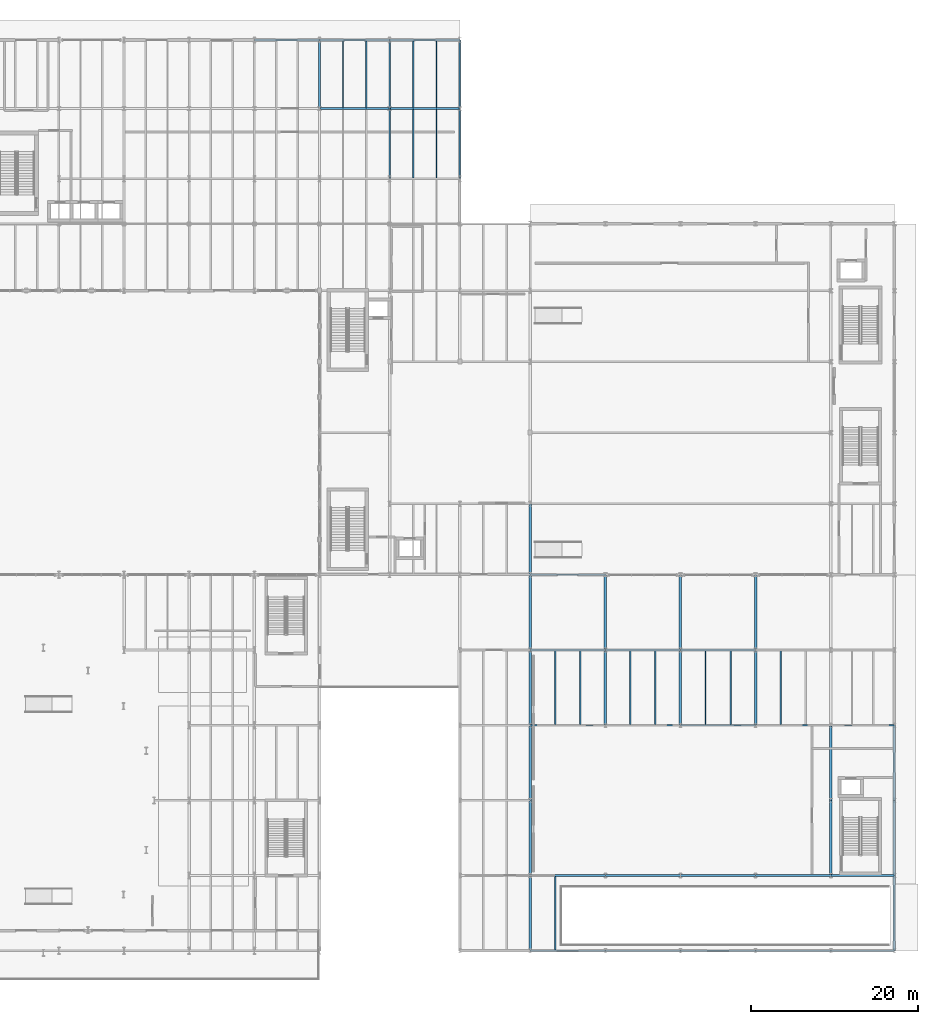
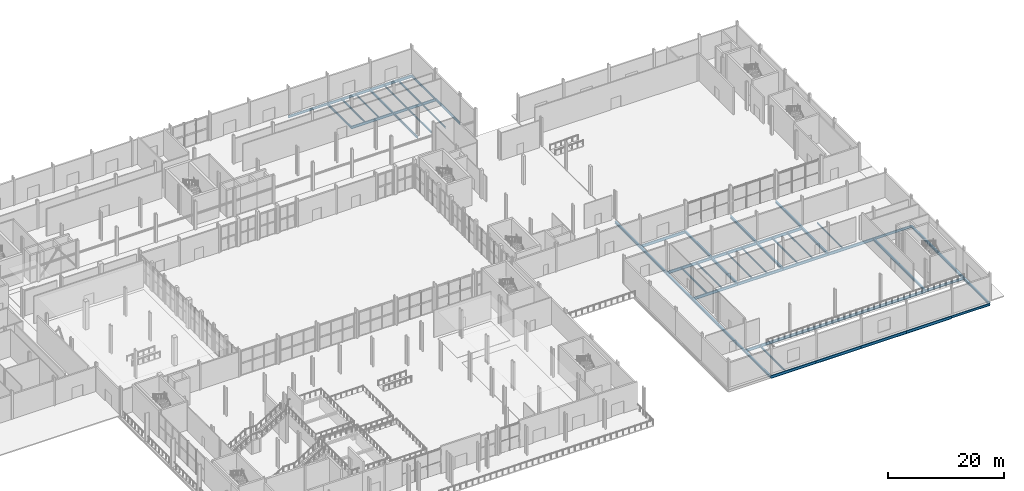
# One storey, part 41 of 84: 60 beams.
"""IFC4 building model written with IfcOpenShell, lengths in metres."""

from ifc_helpers import new_model, si_unit, direction, frame, origin, origin_2d, place, context, subcontext, project, spatial, i_section, extrude, material, material_profile, profile_set, type_object, element, save


model = new_model("IFC4")

# Units and contexts
model_context = context("Model", 3, precision=1e-05, world=origin(), true_north=direction((0.0, 1.0)))
body_context = subcontext(model_context, "Body", "Model", "MODEL_VIEW")
ifc_project = project(units=[si_unit("LENGTHUNIT", "METRE"), si_unit("AREAUNIT", "SQUARE_METRE"), si_unit("VOLUMEUNIT", "CUBIC_METRE"), si_unit("PLANEANGLEUNIT", "RADIAN"), si_unit("MASSUNIT", "GRAM", prefix="KILO")], contexts=[model_context])

# Site, building, storey
site_placement = place(None, origin())
site = spatial("IfcSite", under=ifc_project, at=site_placement, CompositionType="ELEMENT")
building_placement = place(site_placement, origin())
building = spatial("IfcBuilding", under=site, at=building_placement, Name="Sefraquen Railside Congress Hotel", CompositionType="ELEMENT")
storey_placement = place(building_placement, origin())
storey = spatial("IfcBuildingStorey", under=building, at=storey_placement, Name="L00", CompositionType="ELEMENT", Elevation=0.0)

# Beams
ifc_material = material(Name="Steel S355JR", Category="steel")
ifc_material_profile_1 = material_profile(ifc_material, i_section(OverallWidth=0.18994140625, OverallDepth=0.449951171875, WebThickness=0.009521484375, FlangeThickness=0.0146484375, FilletRadius=0.02099609375, at=origin_2d()), Name="IPE 450")
ifc_profile_set_1 = profile_set([ifc_material_profile_1], Name="Steel S355JR")
beam_type_1 = type_object("IfcBeamType", Name="TB-BM-450", PredefinedType="BEAM", material=ifc_profile_set_1)
beam_1_placement = place(storey_placement, frame((103.199951171875, 109.800048828125, -0.625), z_axis=(0.0, 1.0, 0.0), x_axis=(-1.0, 0.0, 0.0)))
element("IfcBeam", 1, at=beam_1_placement, inside=storey, type_object=beam_type_1, Name="Floor beam BM-L00-0284", PredefinedType="BEAM", context=body_context, shape_type="SweptSolid", body=[
    extrude(i_section(OverallWidth=0.18994140625, OverallDepth=0.449951171875, WebThickness=0.009521484375, FlangeThickness=0.0146484375, FilletRadius=0.02099609375, at=origin_2d()), origin(), (0.0, 0.0, 1.0), 8.199951171875),
])
beam_2_placement = place(storey_placement, frame((111.60009765625, 101.39990234375, -0.625), z_axis=(0.0, 1.0, 0.0), x_axis=(-1.0, 0.0, 0.0)))
element("IfcBeam", 2, at=beam_2_placement, inside=storey, type_object=beam_type_1, Name="Floor beam BM-L00-0291", PredefinedType="BEAM", context=body_context, shape_type="SweptSolid", body=[
    extrude(i_section(OverallWidth=0.18994140625, OverallDepth=0.449951171875, WebThickness=0.009521484375, FlangeThickness=0.0146484375, FilletRadius=0.02099609375, at=origin_2d()), origin(), (0.0, 0.0, 1.0), 8.400146484375),
])
beam_3_placement = place(storey_placement, frame((111.60009765625, 109.800048828125, -0.625), z_axis=(0.0, 1.0, 0.0), x_axis=(-1.0, 0.0, 0.0)))
element("IfcBeam", 3, at=beam_3_placement, inside=storey, type_object=beam_type_1, Name="Floor beam BM-L00-0292", PredefinedType="BEAM", context=body_context, shape_type="SweptSolid", body=[
    extrude(i_section(OverallWidth=0.18994140625, OverallDepth=0.449951171875, WebThickness=0.009521484375, FlangeThickness=0.0146484375, FilletRadius=0.02099609375, at=origin_2d()), origin(), (0.0, 0.0, 1.0), 8.199951171875),
])
beam_4_placement = place(storey_placement, frame((120.0, 101.39990234375, -0.625), z_axis=(0.0, 1.0, 0.0), x_axis=(-1.0, 0.0, 0.0)))
element("IfcBeam", 4, at=beam_4_placement, inside=storey, type_object=beam_type_1, Name="Floor beam BM-L00-0302", PredefinedType="BEAM", context=body_context, shape_type="SweptSolid", body=[
    extrude(i_section(OverallWidth=0.18994140625, OverallDepth=0.449951171875, WebThickness=0.009521484375, FlangeThickness=0.0146484375, FilletRadius=0.02099609375, at=origin_2d()), origin(), (0.0, 0.0, 1.0), 8.400146484375),
])
beam_5_placement = place(storey_placement, frame((120.0, 109.800048828125, -0.625), z_axis=(0.0, 1.0, 0.0), x_axis=(-1.0, 0.0, 0.0)))
element("IfcBeam", 5, at=beam_5_placement, inside=storey, type_object=beam_type_1, Name="Floor beam BM-L00-0303", PredefinedType="BEAM", context=body_context, shape_type="SweptSolid", body=[
    extrude(i_section(OverallWidth=0.18994140625, OverallDepth=0.449951171875, WebThickness=0.009521484375, FlangeThickness=0.0146484375, FilletRadius=0.02099609375, at=origin_2d()), origin(), (0.0, 0.0, 1.0), 8.199951171875),
])
ifc_material_profile_2 = material_profile(ifc_material, i_section(OverallWidth=0.199951171875, OverallDepth=0.5, WebThickness=0.01025390625, FlangeThickness=0.01611328125, FilletRadius=0.02099609375, at=origin_2d()), Name="IPE 500")
ifc_profile_set_2 = profile_set([ifc_material_profile_2], Name="Steel S355JR")
beam_type_2 = type_object("IfcBeamType", Name="TB-BM-500", PredefinedType="BEAM", material=ifc_profile_set_2)
for number, where, z_axis, x_axis, name in (
    (6, (164.39990234375, 9.0, -0.75), (1.0, 0.0, 0.0), (0.0, 1.0, 0.0), "Primary girder BM-L00-0016"),
    (7, (164.39990234375, 18.0, -0.75), (1.0, 0.0, 0.0), (0.0, 1.0, 0.0), "Primary girder BM-L00-0026"),
    (8, (164.39990234375, 36.0, -0.75), (1.0, 0.0, 0.0), (0.0, 1.0, 0.0), "Primary girder BM-L00-0043"),
):
    element("IfcBeam", number, at=place(storey_placement, frame(where, z_axis=z_axis, x_axis=x_axis)), inside=storey, type_object=beam_type_2, Name=name, PredefinedType="BEAM", context=body_context, shape_type="SweptSolid", body=[
        extrude(i_section(OverallWidth=0.199951171875, OverallDepth=0.5, WebThickness=0.01025390625, FlangeThickness=0.01611328125, FilletRadius=0.02099609375, at=origin_2d()), origin(), (0.0, 0.0, 1.0), 7.60009765625),
    ])
beam_6_placement = place(storey_placement, frame((95.39990234375, 118.0, -0.64990234375), z_axis=(1.0, 0.0, 0.0), x_axis=(0.0, 1.0, 0.0)))
element("IfcBeam", 9, at=beam_6_placement, inside=storey, type_object=beam_type_2, Name="Primary girder BM-L00-0170", PredefinedType="BEAM", context=body_context, shape_type="SweptSolid", body=[
    extrude(i_section(OverallWidth=0.199951171875, OverallDepth=0.5, WebThickness=0.01025390625, FlangeThickness=0.01611328125, FilletRadius=0.02099609375, at=origin_2d()), origin(), (0.0, 0.0, 1.0), 7.800048828125),
])
ifc_material_profile_3 = material_profile(ifc_material, i_section(OverallWidth=0.300048828125, OverallDepth=0.489990234375, WebThickness=0.011962890625, FlangeThickness=0.02294921875, FilletRadius=0.027099609375, at=origin_2d()), Name="HEA 500")
ifc_profile_set_3 = profile_set([ifc_material_profile_3], Name="Steel S355JR")
beam_type_3 = type_object("IfcBeamType", Name="TB-GIR-500", PredefinedType="T_BEAM", material=ifc_profile_set_3)
for number, where, z_axis, x_axis, name in (
    (10, (128.39990234375, 9.0, -0.7451171875), (0.0, 1.0, 0.0), (-1.0, 0.0, 0.0), "Floor beam BM-L00-0304"),
    (11, (128.39990234375, 18.0, -0.7451171875), (0.0, 1.0, 0.0), (-1.0, 0.0, 0.0), "Floor beam BM-L00-0305"),
    (12, (128.39990234375, 27.0, -0.7451171875), (0.0, 1.0, 0.0), (-1.0, 0.0, 0.0), "Floor beam BM-L00-0306"),
    (13, (128.39990234375, 36.0, -0.7451171875), (0.0, 1.0, 0.0), (-1.0, 0.0, 0.0), "Floor beam BM-L00-0307"),
    (14, (128.39990234375, 45.0, -0.64501953125), (0.0, 1.0, 0.0), (-1.0, 0.0, 0.0), "Floor beam BM-L00-0308"),
):
    element("IfcBeam", number, at=place(storey_placement, frame(where, z_axis=z_axis, x_axis=x_axis)), inside=storey, type_object=beam_type_3, Name=name, PredefinedType="T_BEAM", context=body_context, shape_type="SweptSolid", body=[
        extrude(i_section(OverallWidth=0.300048828125, OverallDepth=0.489990234375, WebThickness=0.011962890625, FlangeThickness=0.02294921875, FilletRadius=0.027099609375, at=origin_2d()), origin(), (0.0, 0.0, 1.0), 9.0),
    ])
beam_7_placement = place(storey_placement, frame((128.39990234375, 54.0, -0.64501953125), z_axis=(0.0, 1.0, 0.0), x_axis=(-1.0, 0.0, 0.0)))
element("IfcBeam", 15, at=beam_7_placement, inside=storey, type_object=beam_type_3, Name="Floor beam BM-L00-0309", PredefinedType="T_BEAM", context=body_context, shape_type="SweptSolid", body=[
    extrude(i_section(OverallWidth=0.300048828125, OverallDepth=0.489990234375, WebThickness=0.011962890625, FlangeThickness=0.02294921875, FilletRadius=0.027099609375, at=origin_2d()), origin(), (0.0, 0.0, 1.0), 8.5),
])
for number, where, z_axis, x_axis, name in (
    (16, (137.39990234375, 36.0, -0.7451171875), (0.0, 1.0, 0.0), (-1.0, 0.0, 0.0), "Floor beam BM-L00-0314"),
    (17, (137.39990234375, 45.0, -0.64501953125), (0.0, 1.0, 0.0), (-1.0, 0.0, 0.0), "Floor beam BM-L00-0315"),
    (18, (146.39990234375, 36.0, -0.7451171875), (0.0, 1.0, 0.0), (-1.0, 0.0, 0.0), "Floor beam BM-L00-0316"),
    (19, (146.39990234375, 45.0, -0.64501953125), (0.0, 1.0, 0.0), (-1.0, 0.0, 0.0), "Floor beam BM-L00-0317"),
    (20, (155.39990234375, 36.0, -0.7451171875), (0.0, 1.0, 0.0), (-1.0, 0.0, 0.0), "Floor beam BM-L00-0318"),
    (21, (155.39990234375, 45.0, -0.64501953125), (0.0, 1.0, 0.0), (-1.0, 0.0, 0.0), "Floor beam BM-L00-0319"),
    (22, (164.39990234375, 18.0, -0.7451171875), (0.0, 1.0, 0.0), (-1.0, 0.0, 0.0), "Floor beam BM-L00-0320"),
    (23, (164.39990234375, 27.0, -0.7451171875), (0.0, 1.0, 0.0), (-1.0, 0.0, 0.0), "Floor beam BM-L00-0321"),
    (24, (172.0, 9.0, -0.7451171875), (0.0, 1.0, 0.0), (-1.0, 0.0, 0.0), "Floor beam BM-L00-0329"),
    (25, (172.0, 18.0, -0.7451171875), (0.0, 1.0, 0.0), (-1.0, 0.0, 0.0), "Floor beam BM-L00-0330"),
    (26, (172.0, 27.0, -0.7451171875), (0.0, 1.0, 0.0), (-1.0, 0.0, 0.0), "Floor beam BM-L00-0331"),
):
    element("IfcBeam", number, at=place(storey_placement, frame(where, z_axis=z_axis, x_axis=x_axis)), inside=storey, type_object=beam_type_3, Name=name, PredefinedType="T_BEAM", context=body_context, shape_type="SweptSolid", body=[
        extrude(i_section(OverallWidth=0.300048828125, OverallDepth=0.489990234375, WebThickness=0.011962890625, FlangeThickness=0.02294921875, FilletRadius=0.027099609375, at=origin_2d()), origin(), (0.0, 0.0, 1.0), 9.0),
    ])
ifc_material_profile_4 = material_profile(ifc_material, i_section(OverallWidth=0.2099609375, OverallDepth=0.550048828125, WebThickness=0.010986328125, FlangeThickness=0.01708984375, FilletRadius=0.02392578125, at=origin_2d()), Name="IPE 550")
ifc_profile_set_4 = profile_set([ifc_material_profile_4], Name="Steel S355JR")
beam_type_4 = type_object("IfcBeamType", Name="TB-GIR-550", PredefinedType="T_BEAM", material=ifc_profile_set_4)
beam_8_placement = place(storey_placement, frame((103.199951171875, 109.800048828125, -0.675048828125), z_axis=(1.0, 0.0, 0.0), x_axis=(0.0, 1.0, 0.0)))
element("IfcBeam", 27, at=beam_8_placement, inside=storey, type_object=beam_type_4, Name="Primary girder BM-L00-0159", PredefinedType="T_BEAM", context=body_context, shape_type="SweptSolid", body=[
    extrude(i_section(OverallWidth=0.2099609375, OverallDepth=0.550048828125, WebThickness=0.010986328125, FlangeThickness=0.01708984375, FilletRadius=0.02392578125, at=origin_2d()), origin(), (0.0, 0.0, 1.0), 8.400146484375),
])
beam_9_placement = place(storey_placement, frame((111.60009765625, 109.800048828125, -0.675048828125), z_axis=(1.0, 0.0, 0.0), x_axis=(0.0, 1.0, 0.0)))
element("IfcBeam", 28, at=beam_9_placement, inside=storey, type_object=beam_type_4, Name="Primary girder BM-L00-0160", PredefinedType="T_BEAM", context=body_context, shape_type="SweptSolid", body=[
    extrude(i_section(OverallWidth=0.2099609375, OverallDepth=0.550048828125, WebThickness=0.010986328125, FlangeThickness=0.01708984375, FilletRadius=0.02392578125, at=origin_2d()), origin(), (0.0, 0.0, 1.0), 8.39990234375),
])
beam_10_placement = place(storey_placement, frame((103.199951171875, 118.0, -0.675048828125), z_axis=(1.0, 0.0, 0.0), x_axis=(0.0, 1.0, 0.0)))
element("IfcBeam", 29, at=beam_10_placement, inside=storey, type_object=beam_type_4, Name="Primary girder BM-L00-0171", PredefinedType="T_BEAM", context=body_context, shape_type="SweptSolid", body=[
    extrude(i_section(OverallWidth=0.2099609375, OverallDepth=0.550048828125, WebThickness=0.010986328125, FlangeThickness=0.01708984375, FilletRadius=0.02392578125, at=origin_2d()), origin(), (0.0, 0.0, 1.0), 8.400146484375),
])
beam_11_placement = place(storey_placement, frame((111.60009765625, 118.0, -0.675048828125), z_axis=(1.0, 0.0, 0.0), x_axis=(0.0, 1.0, 0.0)))
element("IfcBeam", 30, at=beam_11_placement, inside=storey, type_object=beam_type_4, Name="Primary girder BM-L00-0172", PredefinedType="T_BEAM", context=body_context, shape_type="SweptSolid", body=[
    extrude(i_section(OverallWidth=0.2099609375, OverallDepth=0.550048828125, WebThickness=0.010986328125, FlangeThickness=0.01708984375, FilletRadius=0.02392578125, at=origin_2d()), origin(), (0.0, 0.0, 1.0), 8.39990234375),
])
ifc_material_profile_5 = material_profile(ifc_material, i_section(OverallWidth=0.219970703125, OverallDepth=0.60009765625, WebThickness=0.011962890625, FlangeThickness=0.01904296875, FilletRadius=0.02392578125, at=origin_2d()), Name="IPE 600")
ifc_profile_set_5 = profile_set([ifc_material_profile_5], Name="Steel S355JR")
beam_type_5 = type_object("IfcBeamType", Name="TB-GIR-600", PredefinedType="T_BEAM", material=ifc_profile_set_5)
for number, where, z_axis, x_axis, name in (
    (31, (128.39990234375, 9.0, -0.800048828125), (1.0, 0.0, 0.0), (0.0, 1.0, 0.0), "Primary girder BM-L00-0012"),
    (32, (137.39990234375, 9.0, -0.800048828125), (1.0, 0.0, 0.0), (0.0, 1.0, 0.0), "Primary girder BM-L00-0013"),
    (33, (146.39990234375, 9.0, -0.800048828125), (1.0, 0.0, 0.0), (0.0, 1.0, 0.0), "Primary girder BM-L00-0014"),
    (34, (155.39990234375, 9.0, -0.800048828125), (1.0, 0.0, 0.0), (0.0, 1.0, 0.0), "Primary girder BM-L00-0015"),
    (35, (128.39990234375, 18.0, -0.800048828125), (1.0, 0.0, 0.0), (0.0, 1.0, 0.0), "Primary girder BM-L00-0022"),
    (36, (137.39990234375, 18.0, -0.800048828125), (1.0, 0.0, 0.0), (0.0, 1.0, 0.0), "Primary girder BM-L00-0023"),
    (37, (146.39990234375, 18.0, -0.800048828125), (1.0, 0.0, 0.0), (0.0, 1.0, 0.0), "Primary girder BM-L00-0024"),
    (38, (155.39990234375, 18.0, -0.800048828125), (1.0, 0.0, 0.0), (0.0, 1.0, 0.0), "Primary girder BM-L00-0025"),
    (39, (128.39990234375, 36.0, -0.800048828125), (1.0, 0.0, 0.0), (0.0, 1.0, 0.0), "Primary girder BM-L00-0039"),
    (40, (137.39990234375, 36.0, -0.800048828125), (1.0, 0.0, 0.0), (0.0, 1.0, 0.0), "Primary girder BM-L00-0040"),
    (41, (146.39990234375, 36.0, -0.800048828125), (1.0, 0.0, 0.0), (0.0, 1.0, 0.0), "Primary girder BM-L00-0041"),
    (42, (155.39990234375, 36.0, -0.800048828125), (1.0, 0.0, 0.0), (0.0, 1.0, 0.0), "Primary girder BM-L00-0042"),
    (43, (128.39990234375, 45.0, -0.800048828125), (1.0, 0.0, 0.0), (0.0, 1.0, 0.0), "Primary girder BM-L00-0049"),
    (44, (137.39990234375, 45.0, -0.800048828125), (1.0, 0.0, 0.0), (0.0, 1.0, 0.0), "Primary girder BM-L00-0050"),
    (45, (146.39990234375, 45.0, -0.800048828125), (1.0, 0.0, 0.0), (0.0, 1.0, 0.0), "Primary girder BM-L00-0051"),
    (46, (128.39990234375, 54.0, -0.699951171875), (1.0, 0.0, 0.0), (0.0, 1.0, 0.0), "Primary girder BM-L00-0067"),
):
    element("IfcBeam", number, at=place(storey_placement, frame(where, z_axis=z_axis, x_axis=x_axis)), inside=storey, type_object=beam_type_5, Name=name, PredefinedType="T_BEAM", context=body_context, shape_type="SweptSolid", body=[
        extrude(i_section(OverallWidth=0.219970703125, OverallDepth=0.60009765625, WebThickness=0.011962890625, FlangeThickness=0.01904296875, FilletRadius=0.02392578125, at=origin_2d()), origin(), (0.0, 0.0, 1.0), 9.0),
    ])
ifc_material_profile_6 = material_profile(ifc_material, i_section(OverallWidth=0.159912109375, OverallDepth=0.330078125, WebThickness=0.007568359375, FlangeThickness=0.011474609375, FilletRadius=0.01806640625, at=origin_2d()), Name="IPE 330")
ifc_profile_set_6 = profile_set([ifc_material_profile_6], Name="Steel S355JR")
beam_type_6 = type_object("IfcBeamType", Name="TB-JST-330", PredefinedType="JOIST", material=ifc_profile_set_6)
for number, where, z_axis, x_axis, name in (
    (47, (106.0, 109.885009765625, -0.56494140625), (0.0, 1.0, 0.0), (-1.0, 0.0, 0.0), "Composite floor joist BM-L00-J0162"),
    (48, (108.800048828125, 109.885009765625, -0.56494140625), (0.0, 1.0, 0.0), (-1.0, 0.0, 0.0), "Composite floor joist BM-L00-J0163"),
):
    element("IfcBeam", number, at=place(storey_placement, frame(where, z_axis=z_axis, x_axis=x_axis)), inside=storey, type_object=beam_type_6, Name=name, PredefinedType="JOIST", context=body_context, shape_type="SweptSolid", body=[
        extrude(i_section(OverallWidth=0.159912109375, OverallDepth=0.330078125, WebThickness=0.007568359375, FlangeThickness=0.011474609375, FilletRadius=0.01806640625, at=origin_2d()), origin(), (0.0, 0.0, 1.0), 8.030029296875),
    ])
for number, where, z_axis, x_axis, name in (
    (49, (114.39990234375, 101.485107421875, -0.56494140625), (0.0, 1.0, 0.0), (-1.0, 0.0, 0.0), "Composite floor joist BM-L00-J0172"),
    (50, (117.199951171875, 101.485107421875, -0.56494140625), (0.0, 1.0, 0.0), (-1.0, 0.0, 0.0), "Composite floor joist BM-L00-J0173"),
):
    element("IfcBeam", number, at=place(storey_placement, frame(where, z_axis=z_axis, x_axis=x_axis)), inside=storey, type_object=beam_type_6, Name=name, PredefinedType="JOIST", context=body_context, shape_type="SweptSolid", body=[
        extrude(i_section(OverallWidth=0.159912109375, OverallDepth=0.330078125, WebThickness=0.007568359375, FlangeThickness=0.011474609375, FilletRadius=0.01806640625, at=origin_2d()), origin(), (0.0, 0.0, 1.0), 8.22998046875),
    ])
for number, where, z_axis, x_axis, name in (
    (51, (114.39990234375, 109.885009765625, -0.56494140625), (0.0, 1.0, 0.0), (-1.0, 0.0, 0.0), "Composite floor joist BM-L00-J0174"),
    (52, (117.199951171875, 109.885009765625, -0.56494140625), (0.0, 1.0, 0.0), (-1.0, 0.0, 0.0), "Composite floor joist BM-L00-J0175"),
):
    element("IfcBeam", number, at=place(storey_placement, frame(where, z_axis=z_axis, x_axis=x_axis)), inside=storey, type_object=beam_type_6, Name=name, PredefinedType="JOIST", context=body_context, shape_type="SweptSolid", body=[
        extrude(i_section(OverallWidth=0.159912109375, OverallDepth=0.330078125, WebThickness=0.007568359375, FlangeThickness=0.011474609375, FilletRadius=0.01806640625, at=origin_2d()), origin(), (0.0, 0.0, 1.0), 8.030029296875),
    ])
for number, where, z_axis, x_axis, name in (
    (53, (131.39990234375, 9.090087890625, -0.6650390625), (0.0, 1.0, 0.0), (-1.0, 0.0, 0.0), "Composite floor joist BM-L00-J0190"),
    (54, (131.39990234375, 36.090087890625, -0.6650390625), (0.0, 1.0, 0.0), (-1.0, 0.0, 0.0), "Composite floor joist BM-L00-J0191"),
    (55, (134.39990234375, 36.090087890625, -0.6650390625), (0.0, 1.0, 0.0), (-1.0, 0.0, 0.0), "Composite floor joist BM-L00-J0192"),
    (56, (140.39990234375, 36.090087890625, -0.6650390625), (0.0, 1.0, 0.0), (-1.0, 0.0, 0.0), "Composite floor joist BM-L00-J0193"),
    (57, (143.39990234375, 36.090087890625, -0.6650390625), (0.0, 1.0, 0.0), (-1.0, 0.0, 0.0), "Composite floor joist BM-L00-J0194"),
    (58, (149.39990234375, 36.090087890625, -0.6650390625), (0.0, 1.0, 0.0), (-1.0, 0.0, 0.0), "Composite floor joist BM-L00-J0195"),
    (59, (152.39990234375, 36.090087890625, -0.6650390625), (0.0, 1.0, 0.0), (-1.0, 0.0, 0.0), "Composite floor joist BM-L00-J0196"),
    (60, (158.39990234375, 36.090087890625, -0.6650390625), (0.0, 1.0, 0.0), (-1.0, 0.0, 0.0), "Composite floor joist BM-L00-J0197"),
):
    element("IfcBeam", number, at=place(storey_placement, frame(where, z_axis=z_axis, x_axis=x_axis)), inside=storey, type_object=beam_type_6, Name=name, PredefinedType="JOIST", context=body_context, shape_type="SweptSolid", body=[
        extrude(i_section(OverallWidth=0.159912109375, OverallDepth=0.330078125, WebThickness=0.007568359375, FlangeThickness=0.011474609375, FilletRadius=0.01806640625, at=origin_2d()), origin(), (0.0, 0.0, 1.0), 8.81982421875),
    ])

save(model, "model.ifc")
